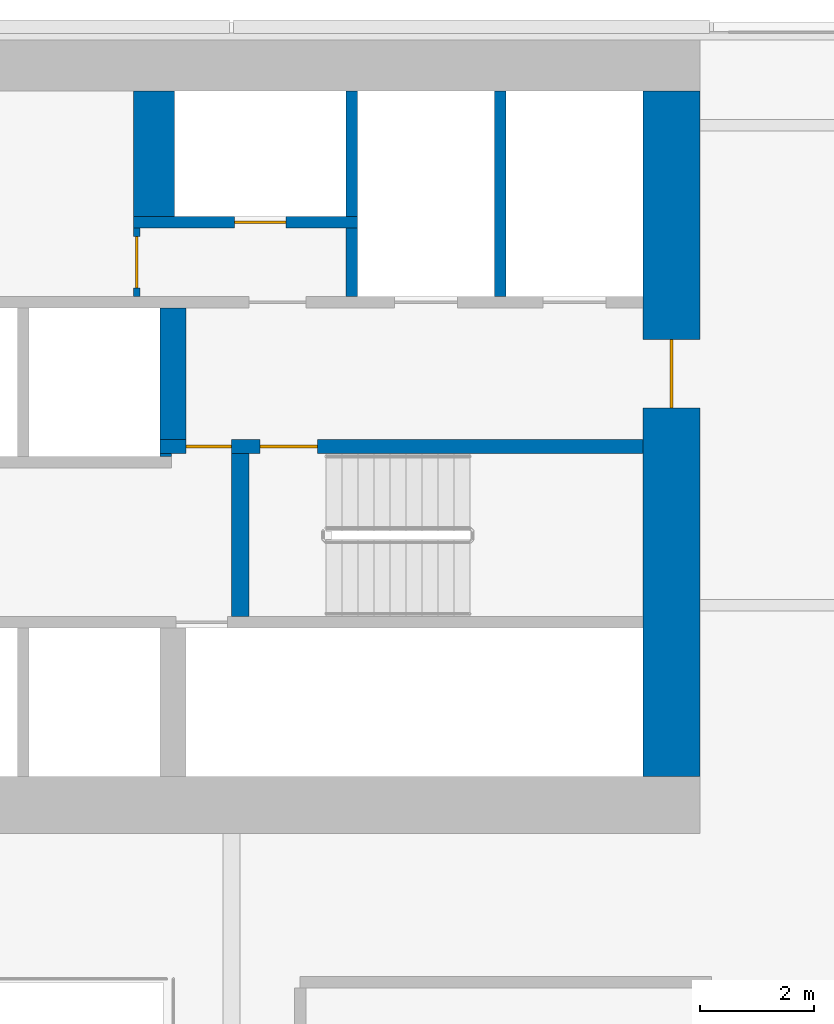
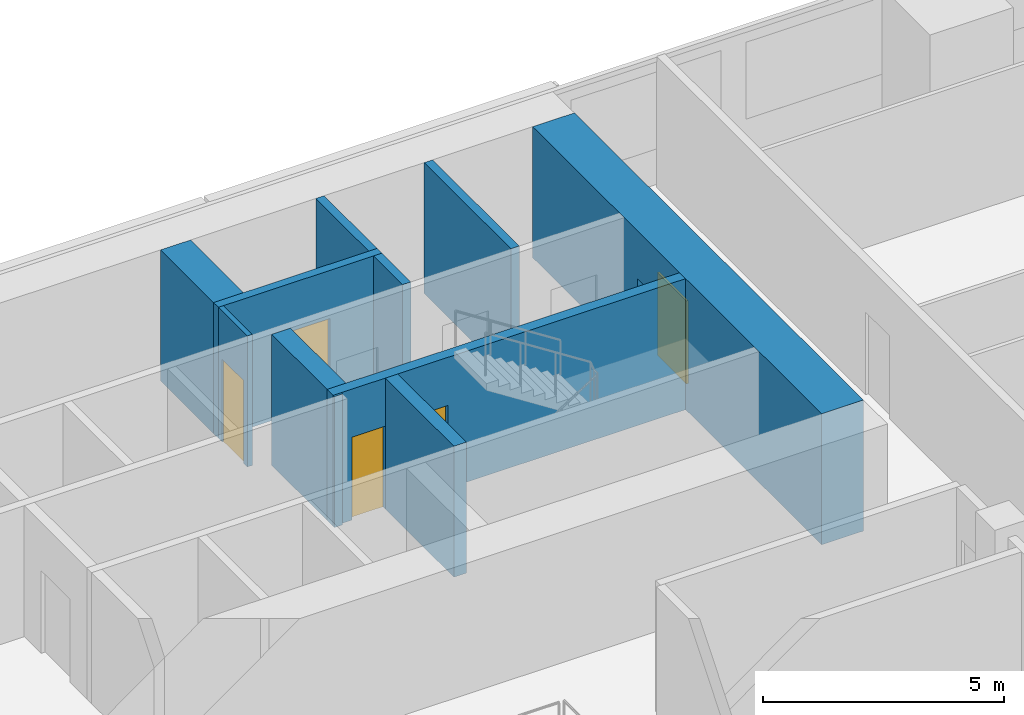
# One storey, part 20 of 25: 11 walls, 5 doors, 5 openings.
"""IFC4 building model written with IfcOpenShell, lengths in metres."""

from ifc_helpers import new_model, si_unit, direction, frame, frame_2d, origin, place, context, subcontext, project, spatial, rectangle, extrude, material, layer, layer_set, type_object, element, fill, save


model = new_model("IFC4")

# Units and contexts
model_context = context("Model", 3, precision=1e-05, world=origin(), true_north=direction((0.0, 1.0)))
body_context = subcontext(model_context, "Body", "Model", "MODEL_VIEW")
ifc_project = project(units=[si_unit("LENGTHUNIT", "METRE"), si_unit("AREAUNIT", "SQUARE_METRE"), si_unit("VOLUMEUNIT", "CUBIC_METRE"), si_unit("PLANEANGLEUNIT", "RADIAN"), si_unit("MASSUNIT", "GRAM", prefix="KILO")], contexts=[model_context])

# Site, building, storey
site_placement = place(None, origin())
site = spatial("IfcSite", under=ifc_project, at=site_placement, CompositionType="ELEMENT")
building_placement = place(site_placement, origin())
building = spatial("IfcBuilding", under=site, at=building_placement, Name="Saffron Gate Tower", CompositionType="ELEMENT")
storey_placement = place(building_placement, frame((0.0, 0.0, 131.25)))
storey = spatial("IfcBuildingStorey", under=building, at=storey_placement, Name="L31", CompositionType="ELEMENT", Elevation=131.25)

# Wall
ifc_material_1 = material(Name="Concrete C70", Category="concrete")
ifc_layer_1 = layer(ifc_material_1, 0.719970703125)
ifc_layer_set_1 = layer_set([ifc_layer_1], Name="CW11 RC core wall 720 C70")
wall_type_1 = type_object("IfcWallType", Name="CW11 RC core wall 720 C70", PredefinedType="SOLIDWALL", material=ifc_layer_set_1)
wall_1_placement = place(storey_placement, frame((98.840087890625, 72.199951171875, 0.0), z_axis=(0.0, 0.0, 1.0), x_axis=(0.0, 1.0, 0.0)))
element("IfcWall", 1, at=wall_1_placement, inside=storey, type_object=wall_type_1, Name="Wall CW11-L31-48", PredefinedType="SOLIDWALL", context=body_context, shape_type="SweptSolid", body=[
    extrude(rectangle(XDim=2.199951171875, YDim=0.719970703125, at=frame_2d((1.10009765625, 0.0))), origin(), (0.0, 0.0, 1.0), 3.320068359375),
])

# Wall, opening, door
ifc_layer_2 = layer(ifc_material_1, 1.0)
ifc_layer_set_2 = layer_set([ifc_layer_2], Name="CW12 RC core wall 1000 C70")
wall_type_2 = type_object("IfcWallType", Name="CW12 RC core wall 1000 C70", PredefinedType="SOLIDWALL", material=ifc_layer_set_2)
wall_2_placement = place(storey_placement, frame((107.89990234375, 62.39990234375, 0.0), z_axis=(0.0, 0.0, 1.0), x_axis=(0.0, 1.0, 0.0)))
wall_2 = element("IfcWall", 2, at=wall_2_placement, inside=storey, type_object=wall_type_2, Name="Wall CW12-L31-4", PredefinedType="SOLIDWALL", context=body_context, shape_type="SweptSolid", body=[
    extrude(rectangle(XDim=12.0, YDim=1.0, at=frame_2d((6.0, 0.0))), origin(), (0.0, 0.0, 1.0), 3.320068359375),
])
opening_1_placement = place(wall_2_placement, frame((6.449951171875, 0.0, 0.0)))
opening_1 = element("IfcOpeningElement", 3, at=opening_1_placement, cuts=wall_2, Name="Opening CR-08", PredefinedType="OPENING", context=body_context, shape_type="SweptSolid", body=[
    extrude(rectangle(XDim=1.199951171875, YDim=2.10009765625, at=frame_2d((0.60009765625, 1.050048828125))), frame((0.0, 0.510009765625, 0.0), z_axis=(0.0, -1.0, 0.0), x_axis=(1.0, 0.0, 0.0)), (0.0, 0.0, 1.0), 1.02001953125),
])
ifc_material_2 = material(Name="Steel fire door set", Category="steel")
door_type_1 = type_object("IfcDoorType", Name="CD7 Core entrance door 1200x2100 EI 120", OperationType="NOTDEFINED", PredefinedType="DOOR", material=ifc_material_2)
door_1_placement = place(opening_1_placement, origin())
door_1 = element("IfcDoor", 4, at=door_1_placement, inside=storey, type_object=door_type_1, Name="DOOR CR-08", OperationType="SINGLE_SWING_RIGHT", OverallHeight=2.10009765625, OverallWidth=1.199951171875, PredefinedType="DOOR", context=body_context, shape_type="SweptSolid", body=[
    extrude(rectangle(XDim=1.199951171875, YDim=2.10009765625, at=frame_2d((0.60009765625, 1.050048828125))), frame((0.0, 0.02490234375, 0.0), z_axis=(0.0, -1.0, 0.0), x_axis=(1.0, 0.0, 0.0)), (0.0, 0.0, 1.0), 0.050048828125),
])
fill(opening_1, door_1)

# Wall, openings, doors
ifc_layer_3 = layer(ifc_material_1, 0.25)
ifc_layer_set_3 = layer_set([ifc_layer_3], Name="CW2 RC core wall 250 C70")
wall_type_3 = type_object("IfcWallType", Name="CW2 RC core wall 250 C70", PredefinedType="SOLIDWALL", material=ifc_layer_set_3)
wall_3_placement = place(storey_placement, frame((98.949951171875, 68.175048828125, 0.0), z_axis=(0.0, 0.0, 1.0), x_axis=(1.0, 0.0, 0.0)))
wall_3 = element("IfcWall", 5, at=wall_3_placement, inside=storey, type_object=wall_type_3, Name="Wall CW2-L31-31", PredefinedType="SOLIDWALL", context=body_context, shape_type="SweptSolid", body=[
    extrude(rectangle(XDim=8.449951171875, YDim=0.25, at=frame_2d((4.22509765625, 0.0))), origin(), (0.0, 0.0, 1.0), 3.320068359375),
])
opening_2_placement = place(wall_3_placement, frame((0.449951171875, 0.0, 0.0)))
opening_2 = element("IfcOpeningElement", 6, at=opening_2_placement, cuts=wall_3, Name="Opening CR-05", PredefinedType="OPENING", context=body_context, shape_type="SweptSolid", body=[
    extrude(rectangle(XDim=0.800048828125, YDim=2.10009765625, at=frame_2d((0.39990234375, 1.050048828125))), frame((0.0, 0.135009765625, 0.0), z_axis=(0.0, -1.0, 0.0), x_axis=(1.0, 0.0, 0.0)), (0.0, 0.0, 1.0), 0.27001953125),
])
opening_3_placement = place(wall_3_placement, frame((1.75, 0.0, 0.0)))
opening_3 = element("IfcOpeningElement", 7, at=opening_3_placement, cuts=wall_3, Name="Opening CR-16", PredefinedType="OPENING", context=body_context, shape_type="SweptSolid", body=[
    extrude(rectangle(XDim=1.0, YDim=2.10009765625, at=frame_2d((0.5, 1.050048828125))), frame((0.0, 0.135009765625, 0.0), z_axis=(0.0, -1.0, 0.0), x_axis=(1.0, 0.0, 0.0)), (0.0, 0.0, 1.0), 0.27001953125),
])
door_type_2 = type_object("IfcDoorType", Name="CD5 Stair door 1000x2100 EI 120", OperationType="NOTDEFINED", PredefinedType="DOOR", material=ifc_material_2)
door_2_placement = place(opening_3_placement, origin())
door_2 = element("IfcDoor", 8, at=door_2_placement, inside=storey, type_object=door_type_2, Name="DOOR CR-16", OperationType="SINGLE_SWING_RIGHT", OverallHeight=2.10009765625, OverallWidth=1.0, PredefinedType="DOOR", context=body_context, shape_type="SweptSolid", body=[
    extrude(rectangle(XDim=1.0, YDim=2.10009765625, at=frame_2d((0.5, 1.050048828125))), frame((0.0, 0.02490234375, 0.0), z_axis=(0.0, -1.0, 0.0), x_axis=(1.0, 0.0, 0.0)), (0.0, 0.0, 1.0), 0.050048828125),
])
fill(opening_3, door_2)
door_type_3 = type_object("IfcDoorType", Name="CD6 Lobby door 800x2100 EI 120", OperationType="NOTDEFINED", PredefinedType="DOOR", material=ifc_material_2)
door_3_placement = place(opening_2_placement, origin())
door_3 = element("IfcDoor", 9, at=door_3_placement, inside=storey, type_object=door_type_3, Name="DOOR CR-05", OperationType="SINGLE_SWING_LEFT", OverallHeight=2.10009765625, OverallWidth=0.800048828125, PredefinedType="DOOR", context=body_context, shape_type="SweptSolid", body=[
    extrude(rectangle(XDim=0.800048828125, YDim=2.10009765625, at=frame_2d((0.39990234375, 1.050048828125))), frame((0.0, 0.02490234375, 0.0), z_axis=(0.0, -1.0, 0.0), x_axis=(1.0, 0.0, 0.0)), (0.0, 0.0, 1.0), 0.050048828125),
])
fill(opening_2, door_3)

# Walls
ifc_layer_4 = layer(ifc_material_1, 0.199951171875)
ifc_layer_set_4 = layer_set([ifc_layer_4], Name="CW3 RC core wall 200 C70")
wall_type_4 = type_object("IfcWallType", Name="CW3 RC core wall 200 C70", PredefinedType="SOLIDWALL", material=ifc_layer_set_4)
wall_4_placement = place(storey_placement, frame((102.300048828125, 70.800048828125, 0.0), z_axis=(0.0, 0.0, 1.0), x_axis=(0.0, 1.0, 0.0)))
element("IfcWall", 10, at=wall_4_placement, inside=storey, type_object=wall_type_4, Name="Wall CW3-L31-41", PredefinedType="SOLIDWALL", context=body_context, shape_type="SweptSolid", body=[
    extrude(rectangle(XDim=1.199951171875, YDim=0.199951171875, at=frame_2d((0.60009765625, 0.0))), origin(), (0.0, 0.0, 1.0), 3.320068359375),
])
wall_5_placement = place(storey_placement, frame((104.89990234375, 70.800048828125, 0.0), z_axis=(0.0, 0.0, 1.0), x_axis=(0.0, 1.0, 0.0)))
element("IfcWall", 11, at=wall_5_placement, inside=storey, type_object=wall_type_4, Name="Wall CW3-L31-42", PredefinedType="SOLIDWALL", context=body_context, shape_type="SweptSolid", body=[
    extrude(rectangle(XDim=3.599853515625, YDim=0.199951171875, at=frame_2d((1.7998046875, 0.0))), origin(), (0.0, 0.0, 1.0), 3.320068359375),
])

# Wall, opening, door
wall_6_placement = place(storey_placement, frame((98.47998046875, 72.10009765625, 0.0), z_axis=(0.0, 0.0, 1.0), x_axis=(1.0, 0.0, 0.0)))
wall_6 = element("IfcWall", 12, at=wall_6_placement, inside=storey, type_object=wall_type_4, Name="Wall CW3-L31-44", PredefinedType="SOLIDWALL", context=body_context, shape_type="SweptSolid", body=[
    extrude(rectangle(XDim=3.919921875, YDim=0.199951171875, at=frame_2d((1.9599609375, 0.0))), origin(), (0.0, 0.0, 1.0), 3.320068359375),
])
opening_4_placement = place(wall_6_placement, frame((1.77001953125, 0.0, 0.0)))
opening_4 = element("IfcOpeningElement", 13, at=opening_4_placement, cuts=wall_6, Name="Opening CR-70", PredefinedType="OPENING", context=body_context, shape_type="SweptSolid", body=[
    extrude(rectangle(XDim=0.89990234375, YDim=2.10009765625, at=frame_2d((0.449951171875, 1.050048828125))), frame((0.0, 0.10986328125, 0.0), z_axis=(0.0, -1.0, 0.0), x_axis=(1.0, 0.0, 0.0)), (0.0, 0.0, 1.0), 0.219970703125),
])
door_type_4 = type_object("IfcDoorType", Name="CD2 Riser door 900x2100 EI 60", OperationType="NOTDEFINED", PredefinedType="DOOR", material=ifc_material_2)
door_4_placement = place(opening_4_placement, origin())
door_4 = element("IfcDoor", 14, at=door_4_placement, inside=storey, type_object=door_type_4, Name="DOOR CR-70", OperationType="SINGLE_SWING_LEFT", OverallHeight=2.10009765625, OverallWidth=0.89990234375, PredefinedType="DOOR", context=body_context, shape_type="SweptSolid", body=[
    extrude(rectangle(XDim=0.89990234375, YDim=2.10009765625, at=frame_2d((0.449951171875, 1.050048828125))), frame((0.0, 0.02490234375, 0.0), z_axis=(0.0, -1.0, 0.0), x_axis=(1.0, 0.0, 0.0)), (0.0, 0.0, 1.0), 0.050048828125),
])
fill(opening_4, door_4)

# Walls
wall_7_placement = place(storey_placement, frame((102.300048828125, 72.199951171875, 0.0), z_axis=(0.0, 0.0, 1.0), x_axis=(0.0, 1.0, 0.0)))
element("IfcWall", 15, at=wall_7_placement, inside=storey, type_object=wall_type_4, Name="Wall CW3-L31-49", PredefinedType="SOLIDWALL", context=body_context, shape_type="SweptSolid", body=[
    extrude(rectangle(XDim=2.199951171875, YDim=0.199951171875, at=frame_2d((1.10009765625, 0.0))), origin(), (0.0, 0.0, 1.0), 3.320068359375),
])
ifc_layer_5 = layer(ifc_material_1, 0.449951171875)
ifc_layer_set_5 = layer_set([ifc_layer_5], Name="CW4 RC core wall 450 C70")
wall_type_5 = type_object("IfcWallType", Name="CW4 RC core wall 450 C70", PredefinedType="SOLIDWALL", material=ifc_layer_set_5)
wall_8_placement = place(storey_placement, frame((99.175048828125, 68.300048828125, 0.0), z_axis=(0.0, 0.0, 1.0), x_axis=(0.0, 1.0, 0.0)))
element("IfcWall", 16, at=wall_8_placement, inside=storey, type_object=wall_type_5, Name="Wall CW4-L31-33", PredefinedType="SOLIDWALL", context=body_context, shape_type="SweptSolid", body=[
    extrude(rectangle(XDim=2.300048828125, YDim=0.449951171875, at=frame_2d((1.14990234375, 0.0))), origin(), (0.0, 0.0, 1.0), 3.320068359375),
])
ifc_layer_6 = layer(ifc_material_1, 0.300048828125)
ifc_layer_set_6 = layer_set([ifc_layer_6], Name="CW5 RC core wall 300 C70")
wall_type_6 = type_object("IfcWallType", Name="CW5 RC core wall 300 C70", PredefinedType="SOLIDWALL", material=ifc_layer_set_6)
wall_9_placement = place(storey_placement, frame((100.35009765625, 65.199951171875, 0.0), z_axis=(0.0, 0.0, 1.0), x_axis=(0.0, 1.0, 0.0)))
element("IfcWall", 17, at=wall_9_placement, inside=storey, type_object=wall_type_6, Name="Wall CW5-L31-19", PredefinedType="SOLIDWALL", context=body_context, shape_type="SweptSolid", body=[
    extrude(rectangle(XDim=2.85009765625, YDim=0.300048828125, at=frame_2d((1.425048828125, 0.0))), origin(), (0.0, 0.0, 1.0), 3.320068359375),
])
ifc_layer_7 = layer(ifc_material_1, 0.050048828125)
ifc_layer_set_7 = layer_set([ifc_layer_7], Name="CW6 RC core wall 50 C70")
wall_type_7 = type_object("IfcWallType", Name="CW6 RC core wall 50 C70", PredefinedType="SOLIDWALL", material=ifc_layer_set_7)
wall_10_placement = place(storey_placement, frame((98.949951171875, 68.02490234375, 0.0), z_axis=(0.0, 0.0, 1.0), x_axis=(1.0, 0.0, 0.0)))
element("IfcWall", 18, at=wall_10_placement, inside=storey, type_object=wall_type_7, Name="Wall CW6-L31-29", PredefinedType="SOLIDWALL", context=body_context, shape_type="SweptSolid", body=[
    extrude(rectangle(XDim=0.199951171875, YDim=0.050048828125, at=frame_2d((0.10009765625, 0.0))), origin(), (0.0, 0.0, 1.0), 3.320068359375),
])

# Wall, opening, door
ifc_material_3 = material(Name="Gypsum board partition on steel studs", Category="steel")
ifc_layer_8 = layer(ifc_material_3, 0.1201171875)
ifc_layer_set_8 = layer_set([ifc_layer_8], Name="CW8 Core partition 120")
wall_type_8 = type_object("IfcWallType", Name="CW8 Core partition 120", PredefinedType="PARTITIONING", material=ifc_layer_set_8)
wall_11_placement = place(storey_placement, frame((98.5400390625, 70.800048828125, 0.0), z_axis=(0.0, 0.0, 1.0), x_axis=(0.0, 1.0, 0.0)))
wall_11 = element("IfcWall", 19, at=wall_11_placement, inside=storey, type_object=wall_type_8, Name="Wall CW8-L31-40", PredefinedType="PARTITIONING", context=body_context, shape_type="SweptSolid", body=[
    extrude(rectangle(XDim=1.199951171875, YDim=0.1201171875, at=frame_2d((0.60009765625, 0.0))), origin(), (0.0, 0.0, 1.0), 3.320068359375),
])
opening_5_placement = place(wall_11_placement, frame((0.14990234375, 0.0, 0.0)))
opening_5 = element("IfcOpeningElement", 20, at=opening_5_placement, cuts=wall_11, Name="Opening CR-54", PredefinedType="OPENING", context=body_context, shape_type="SweptSolid", body=[
    extrude(rectangle(XDim=0.89990234375, YDim=2.10009765625, at=frame_2d((0.449951171875, 1.050048828125))), frame((0.0, 0.070068359375, 0.0), z_axis=(0.0, -1.0, 0.0), x_axis=(1.0, 0.0, 0.0)), (0.0, 0.0, 1.0), 0.14013671875),
])
door_type_5 = type_object("IfcDoorType", Name="CD9 Room door 900x2100 EI 60", OperationType="NOTDEFINED", PredefinedType="DOOR", material=ifc_material_2)
door_5_placement = place(opening_5_placement, origin())
door_5 = element("IfcDoor", 21, at=door_5_placement, inside=storey, type_object=door_type_5, Name="DOOR CR-54", OperationType="SINGLE_SWING_LEFT", OverallHeight=2.10009765625, OverallWidth=0.89990234375, PredefinedType="DOOR", context=body_context, shape_type="SweptSolid", body=[
    extrude(rectangle(XDim=0.89990234375, YDim=2.10009765625, at=frame_2d((0.449951171875, 1.050048828125))), frame((0.0, 0.02490234375, 0.0), z_axis=(0.0, -1.0, 0.0), x_axis=(1.0, 0.0, 0.0)), (0.0, 0.0, 1.0), 0.050048828125),
])
fill(opening_5, door_5)

save(model, "model.ifc")
